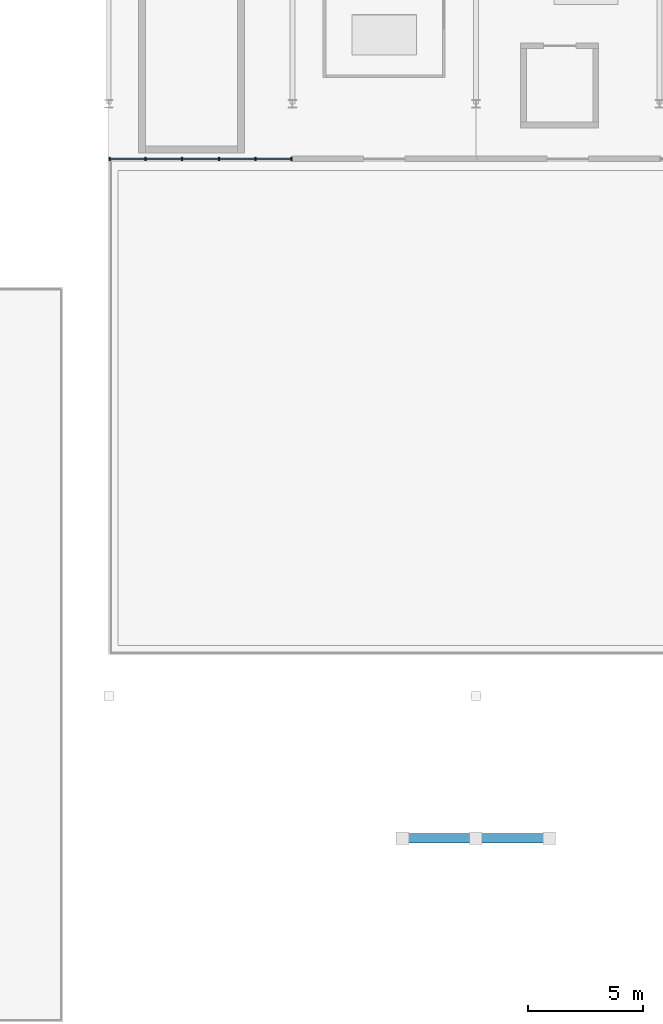
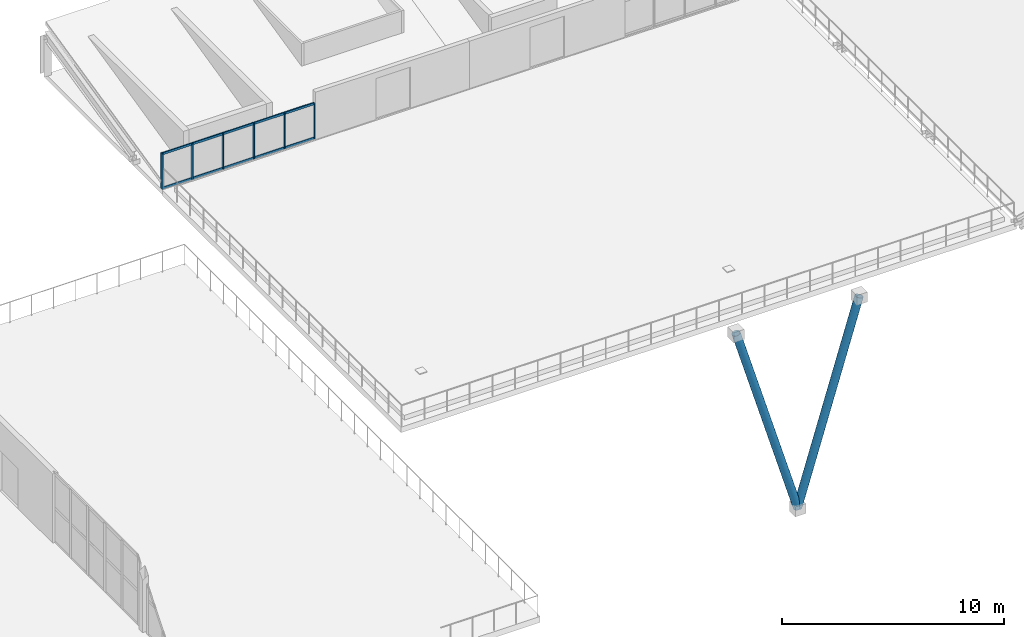
# One storey, part 33 of 83: 10 members, 1 element without a shape of its own.
"""IFC4 building model written with IfcOpenShell, lengths in metres."""

from ifc_helpers import new_model, si_unit, direction, frame, origin, origin_2d, place, context, subcontext, project, spatial, rectangle, hollow_circle, extrude, material, material_profile, profile_set, type_object, element, aggregate, save


model = new_model("IFC4")

# Units and contexts
model_context = context("Model", 3, precision=1e-05, world=origin(), true_north=direction((0.0, 1.0)))
body_context = subcontext(model_context, "Body", "Model", "MODEL_VIEW")
ifc_project = project(units=[si_unit("LENGTHUNIT", "METRE"), si_unit("AREAUNIT", "SQUARE_METRE"), si_unit("VOLUMEUNIT", "CUBIC_METRE"), si_unit("PLANEANGLEUNIT", "RADIAN"), si_unit("MASSUNIT", "GRAM", prefix="KILO")], contexts=[model_context])

# Site, building, storey
site_placement = place(None, origin())
site = spatial("IfcSite", under=ifc_project, at=site_placement, CompositionType="ELEMENT")
building_placement = place(site_placement, origin())
building = spatial("IfcBuilding", under=site, at=building_placement, Name="Drelvath Fold Interchange", CompositionType="ELEMENT")
storey_placement = place(building_placement, frame((0.0, 0.0, 11.199951171875)))
storey = spatial("IfcBuildingStorey", under=building, at=storey_placement, Name="L02", CompositionType="ELEMENT", Elevation=11.199951171875)

# Curtain wall, members
ifc_material_1 = material(Name="Anodized Aluminium 6063-T6", Category="aluminium")
curtain_wall_type = type_object("IfcCurtainWallType", Name="CW-CYC-SAW", PredefinedType="USERDEFINED", material=ifc_material_1)
curtain_wall_placement = place(storey_placement, origin())
curtain_wall = element("IfcCurtainWall", 1, at=curtain_wall_placement, inside=storey, type_object=curtain_wall_type, Name="Curtain wall CW-CYC-L02-S102", ObjectType="UNITISED CURTAIN WALL", PredefinedType="USERDEFINED")
ifc_material_profile_1 = material_profile(ifc_material_1, rectangle(XDim=0.06005859375, YDim=0.14990234375, at=origin_2d()), Name="AL-M 60x150")
ifc_profile_set_1 = profile_set([ifc_material_profile_1], Name="Anodized Aluminium 6063-T6")
member_type_1 = type_object("IfcMemberType", Name="ML-150", PredefinedType="MULLION", material=ifc_profile_set_1)
member_1_placement = place(storey_placement, frame((102.0400390625, 96.60009765625, 0.0), z_axis=(0.0, 0.0, 1.0), x_axis=(1.0, 0.0, 0.0)))
member_1 = element("IfcMember", 2, at=member_1_placement, type_object=member_type_1, Name="CW-CYC-L02-S102 mullion 0", PredefinedType="MULLION", context=body_context, shape_type="SweptSolid", body=[
    extrude(rectangle(XDim=0.06005859375, YDim=0.14990234375, at=origin_2d()), origin(), (0.0, 0.0, 1.0), 1.949951171875),
])
member_2_placement = place(storey_placement, frame((103.60009765625, 96.60009765625, 0.0), z_axis=(0.0, 0.0, 1.0), x_axis=(1.0, 0.0, 0.0)))
member_2 = element("IfcMember", 3, at=member_2_placement, type_object=member_type_1, Name="CW-CYC-L02-S102 mullion 1", PredefinedType="MULLION", context=body_context, shape_type="SweptSolid", body=[
    extrude(rectangle(XDim=0.06005859375, YDim=0.14990234375, at=origin_2d()), origin(), (0.0, 0.0, 1.0), 1.949951171875),
])
member_3_placement = place(storey_placement, frame((105.199951171875, 96.60009765625, 0.0), z_axis=(0.0, 0.0, 1.0), x_axis=(1.0, 0.0, 0.0)))
member_3 = element("IfcMember", 4, at=member_3_placement, type_object=member_type_1, Name="CW-CYC-L02-S102 mullion 2", PredefinedType="MULLION", context=body_context, shape_type="SweptSolid", body=[
    extrude(rectangle(XDim=0.06005859375, YDim=0.14990234375, at=origin_2d()), origin(), (0.0, 0.0, 1.0), 1.949951171875),
])
member_4_placement = place(storey_placement, frame((106.800048828125, 96.60009765625, 0.0), z_axis=(0.0, 0.0, 1.0), x_axis=(1.0, 0.0, 0.0)))
member_4 = element("IfcMember", 5, at=member_4_placement, type_object=member_type_1, Name="CW-CYC-L02-S102 mullion 3", PredefinedType="MULLION", context=body_context, shape_type="SweptSolid", body=[
    extrude(rectangle(XDim=0.06005859375, YDim=0.14990234375, at=origin_2d()), origin(), (0.0, 0.0, 1.0), 1.949951171875),
])
member_5_placement = place(storey_placement, frame((108.39990234375, 96.60009765625, 0.0), z_axis=(0.0, 0.0, 1.0), x_axis=(1.0, 0.0, 0.0)))
member_5 = element("IfcMember", 6, at=member_5_placement, type_object=member_type_1, Name="CW-CYC-L02-S102 mullion 4", PredefinedType="MULLION", context=body_context, shape_type="SweptSolid", body=[
    extrude(rectangle(XDim=0.06005859375, YDim=0.14990234375, at=origin_2d()), origin(), (0.0, 0.0, 1.0), 1.949951171875),
])
member_6_placement = place(storey_placement, frame((109.9599609375, 96.60009765625, 0.0), z_axis=(0.0, 0.0, 1.0), x_axis=(1.0, 0.0, 0.0)))
member_6 = element("IfcMember", 7, at=member_6_placement, type_object=member_type_1, Name="CW-CYC-L02-S102 mullion 5", PredefinedType="MULLION", context=body_context, shape_type="SweptSolid", body=[
    extrude(rectangle(XDim=0.06005859375, YDim=0.14990234375, at=origin_2d()), origin(), (0.0, 0.0, 1.0), 1.949951171875),
])

# Members
ifc_material_2 = material(Name="Steel ASTM A500 Grade C", Category="steel")
ifc_material_profile_2 = material_profile(ifc_material_2, hollow_circle(Radius=0.202880859375, WallThickness=0.014892578125, at=origin_2d()), Name="HSS16.000X0.625")
ifc_profile_set_2 = profile_set([ifc_material_profile_2], Name="Steel ASTM A500 Grade C")
member_type_2 = type_object("IfcMemberType", Name="ST-VST406", PredefinedType="STRUT", material=ifc_profile_set_2)
member_7_placement = place(storey_placement, frame((118.0, 67.0, -5.14990234375), z_axis=(-0.286841888817, 0.0, 0.957977938587), x_axis=(0.0, -1.0, 0.0)))
element("IfcMember", 8, at=member_7_placement, inside=storey, type_object=member_type_2, Name="L02 Canopy inclined V-strut ST-VST406", PredefinedType="STRUT", context=body_context, shape_type="SweptSolid", body=[
    extrude(hollow_circle(Radius=0.202880859375, WallThickness=0.014892578125, at=origin_2d()), origin(), (0.0, 0.0, 1.0), 11.15576171875),
])
member_8_placement = place(storey_placement, frame((118.0, 67.0, -5.14990234375), z_axis=(0.291650340719, 0.0, 0.956525001638), x_axis=(0.0, 1.0, 0.0)))
element("IfcMember", 9, at=member_8_placement, inside=storey, type_object=member_type_2, Name="L02 Canopy inclined V-strut ST-VST406", PredefinedType="STRUT", context=body_context, shape_type="SweptSolid", body=[
    extrude(hollow_circle(Radius=0.202880859375, WallThickness=0.014892578125, at=origin_2d()), origin(), (0.0, 0.0, 1.0), 10.971923828125),
])

# Member
ifc_material_profile_3 = material_profile(ifc_material_1, rectangle(XDim=0.06005859375, YDim=0.1201171875, at=origin_2d()), Name="AL-T 60x120")
ifc_profile_set_3 = profile_set([ifc_material_profile_3], Name="Anodized Aluminium 6063-T6")
member_type_3 = type_object("IfcMemberType", Name="TR-120", PredefinedType="USERDEFINED", material=ifc_profile_set_3)
member_9_placement = place(storey_placement, frame((102.0400390625, 96.60009765625, 0.030029296875), z_axis=(1.0, 0.0, 0.0), x_axis=(0.0, 1.0, 0.0)))
member_9 = element("IfcMember", 10, at=member_9_placement, type_object=member_type_3, Name="CW-CYC-L02-S102 transom 0", ObjectType="TRANSOM", PredefinedType="USERDEFINED", context=body_context, shape_type="SweptSolid", body=[
    extrude(rectangle(XDim=0.06005859375, YDim=0.1201171875, at=origin_2d()), origin(), (0.0, 0.0, 1.0), 7.919921875),
])

member_10_placement = place(storey_placement, frame((102.0400390625, 96.60009765625, 1.920166015625), z_axis=(1.0, 0.0, 0.0), x_axis=(0.0, 1.0, 0.0)))
member_10 = element("IfcMember", 11, at=member_10_placement, type_object=member_type_3, Name="CW-CYC-L02-S102 transom 1", ObjectType="TRANSOM", PredefinedType="USERDEFINED", context=body_context, shape_type="SweptSolid", body=[
    extrude(rectangle(XDim=0.06005859375, YDim=0.1201171875, at=origin_2d()), origin(), (0.0, 0.0, 1.0), 7.919921875),
])

aggregate(curtain_wall, [member_1, member_2, member_3, member_4, member_5, member_6, member_9, member_10])

save(model, "model.ifc")
